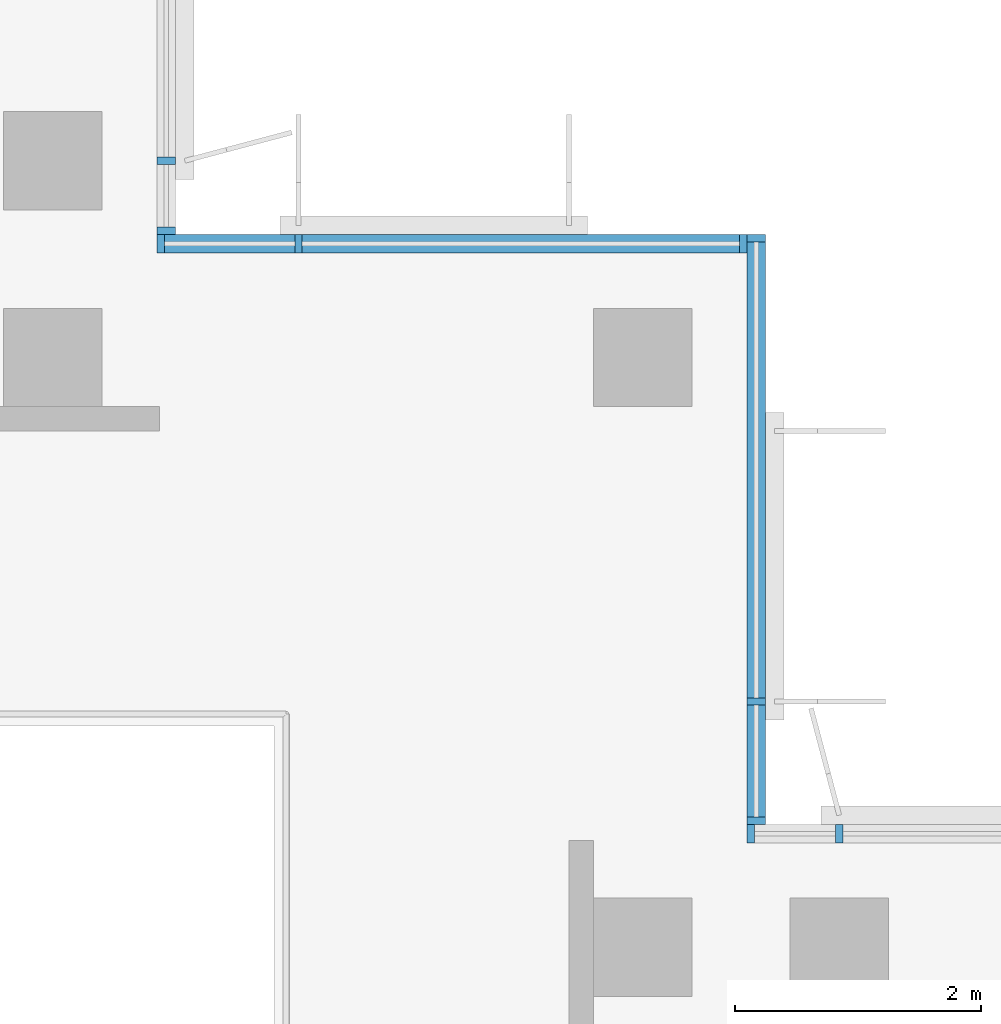
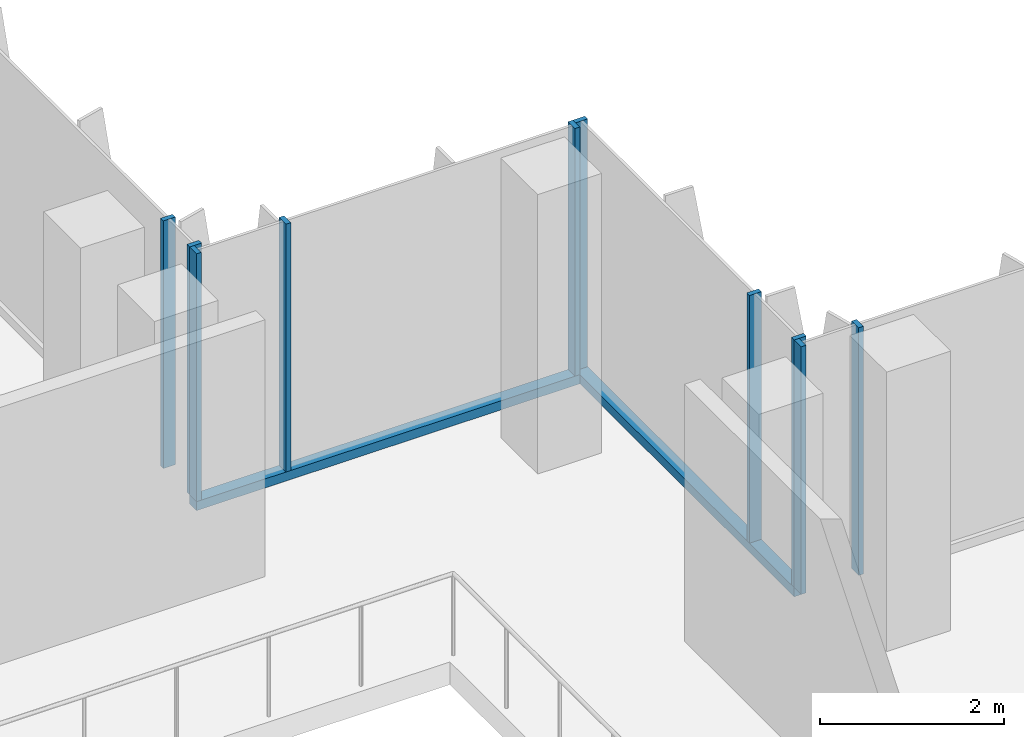
# One storey, part 2 of 15: 12 members, 4 elements without a shape of their own.
"""IFC4 building model written with IfcOpenShell, lengths in metres."""

import ifcopenshell
import ifcopenshell.guid

model = None  # the IFC model being written
_history = None  # IfcOwnerHistory: only IFC2X3 demands one
_inside = {}  # id of a spatial element -> (the spatial element, [elements in it])
_under = {}  # id of a project, library or spatial element -> (it, [spatial elements below it])
_declared = {}  # id of a project -> (the project, [libraries it declares])
_typed = {}  # id of a type object -> (the type object, [elements of that type])
_made_of = {}  # id of a material, layer set ... -> (it, [elements and type objects made of it])


def new_model(schema):
    """Start an empty IFC model of exactly this schema.

    Asked for "IFC4X3", IfcOpenShell would pick the latest addendum, in which some entities
    have other attributes; the version numbers below select the first issue.
    IFC2X3 requires an IfcOwnerHistory on every rooted entity: one is made here for all.
    """
    global model, _history
    if schema == "IFC4X3":
        model = ifcopenshell.file(schema_version=(4, 3, 0, 0))
    else:
        model = ifcopenshell.file(schema=schema)
    _inside.clear()
    _under.clear()
    _declared.clear()
    _typed.clear()
    _made_of.clear()
    _history = None
    if model.schema == "IFC2X3":
        org = make("IfcOrganization", Name="unknown")
        user = make(
            "IfcPersonAndOrganization",
            ThePerson=make("IfcPerson", FamilyName="unknown"),
            TheOrganization=org,
        )
        app = make(
            "IfcApplication",
            ApplicationDeveloper=org,
            Version="unknown",
            ApplicationFullName="unknown",
            ApplicationIdentifier="unknown",
        )
        _history = make(
            "IfcOwnerHistory",
            OwningUser=user,
            OwningApplication=app,
            ChangeAction="ADDED",
            CreationDate=0,
        )
    return model


def make(cls, **values):
    """One entity of the class cls with the attributes given. An attribute that is None is left unset."""
    return model.create_entity(
        cls, **{name: value for name, value in values.items() if value is not None}
    )


def rooted(cls, **values):
    """An entity with a GlobalId (a new one), such as an element, a storey or a relation."""
    return make(cls, GlobalId=ifcopenshell.guid.new(), OwnerHistory=_history, **values)


def si_unit(unit_type, name, prefix=None):
    """IfcSIUnit, for example si_unit("LENGTHUNIT", "METRE", prefix="MILLI")."""
    return make("IfcSIUnit", UnitType=unit_type, Prefix=prefix, Name=name)


def assignment(units):
    """IfcUnitAssignment: the units of a project."""
    return None if units is None else make("IfcUnitAssignment", Units=units)


def point(xyz):
    """IfcCartesianPoint."""
    return None if xyz is None else make("IfcCartesianPoint", Coordinates=xyz)


def direction(xyz):
    """IfcDirection."""
    return None if xyz is None else make("IfcDirection", DirectionRatios=xyz)


def frame(location, z_axis=None, x_axis=None):
    """IfcAxis2Placement3D, a coordinate frame: its origin and axes. An axis left out is left unset."""
    return make(
        "IfcAxis2Placement3D",
        Location=point(location),
        Axis=direction(z_axis),
        RefDirection=direction(x_axis),
    )


def frame_2d(location, x_axis=None):
    """IfcAxis2Placement2D, a coordinate frame in the plane: its origin and x axis."""
    return make(
        "IfcAxis2Placement2D", Location=point(location), RefDirection=direction(x_axis)
    )


def origin():
    """The frame at (0, 0, 0) with its axes left unset."""
    return frame((0.0, 0.0, 0.0))


def origin_2d():
    """The frame at (0, 0) in the plane with its x axis left unset."""
    return frame_2d((0.0, 0.0))


def place(relative_to, where):
    """IfcLocalPlacement: puts the frame where relative to a parent placement (None: the world)."""
    return make(
        "IfcLocalPlacement", PlacementRelTo=relative_to, RelativePlacement=where
    )


def context(
    kind, dimensions, precision=None, world=None, true_north=None, identifier=None
):
    """IfcGeometricRepresentationContext, for example the 3D "Model" context."""
    return make(
        "IfcGeometricRepresentationContext",
        ContextIdentifier=identifier,
        ContextType=kind,
        CoordinateSpaceDimension=dimensions,
        Precision=precision,
        WorldCoordinateSystem=world,
        TrueNorth=true_north,
    )


def subcontext(parent, identifier, kind, view, scale=None):
    """IfcGeometricRepresentationSubContext, for example "Body" below "Model"."""
    return make(
        "IfcGeometricRepresentationSubContext",
        ContextIdentifier=identifier,
        ContextType=kind,
        ParentContext=parent,
        TargetScale=scale,
        TargetView=view,
    )


def project(units=None, contexts=None):
    """IfcProject with its units and contexts."""
    return rooted(
        "IfcProject",
        Name="project",
        RepresentationContexts=contexts,
        UnitsInContext=assignment(units),
    )


def spatial(cls, under=None, at=None, **own):
    """A site, building, storey or space (cls), placed at a placement, below another one or the project."""
    s = rooted(cls, ObjectPlacement=at, **own)
    if under is not None:
        _under.setdefault(under.id(), (under, []))[1].append(s)
    return s


def profile(cls, at=None, kind="AREA", **sizes):
    """A parametric profile (cls). Its sizes go by their IFC names, for example OverallWidth=200.0."""
    return make(cls, ProfileType=kind, Position=at, **sizes)


def rectangle(**sizes):
    """IfcRectangleProfileDef."""
    return profile("IfcRectangleProfileDef", **sizes)


def extrude(swept, where, along, depth):
    """IfcExtrudedAreaSolid: the profile swept, set in the frame where, extruded along a direction by depth."""
    return make(
        "IfcExtrudedAreaSolid",
        SweptArea=swept,
        Position=where,
        ExtrudedDirection=direction(along),
        Depth=depth,
    )


def shape(context_of_items, identifier, shape_type, items):
    """IfcShapeRepresentation: the items that make up one representation, for example the "Body"."""
    return make(
        "IfcShapeRepresentation",
        ContextOfItems=context_of_items,
        RepresentationIdentifier=identifier,
        RepresentationType=shape_type,
        Items=items,
    )


def source(mapping_origin, context_of_items, identifier, shape_type, items):
    """IfcRepresentationMap: a shape defined once, which mapped items show again and again."""
    return make(
        "IfcRepresentationMap",
        MappingOrigin=mapping_origin,
        MappedRepresentation=shape(context_of_items, identifier, shape_type, items),
    )


def transform(
    local_origin,
    x_axis=None,
    y_axis=None,
    z_axis=None,
    scale=None,
    scale2=None,
    scale3=None,
    uniform=True,
):
    """IfcCartesianTransformationOperator3D, or its non-uniform kind. x_axis, y_axis, z_axis: its Axis1, 2, 3."""
    if uniform:
        return make(
            "IfcCartesianTransformationOperator3D",
            Axis1=direction(x_axis),
            Axis2=direction(y_axis),
            LocalOrigin=point(local_origin),
            Scale=scale,
            Axis3=direction(z_axis),
        )
    return make(
        "IfcCartesianTransformationOperator3DnonUniform",
        Axis1=direction(x_axis),
        Axis2=direction(y_axis),
        LocalOrigin=point(local_origin),
        Scale=scale,
        Axis3=direction(z_axis),
        Scale2=scale2,
        Scale3=scale3,
    )


def mapped(mapping_source, mapping_target):
    """IfcMappedItem: shows the shape of a source again, moved by a transform."""
    return make(
        "IfcMappedItem", MappingSource=mapping_source, MappingTarget=mapping_target
    )


def material(Name=None, Category=None):
    """IfcMaterial."""
    return make("IfcMaterial", Name=Name, Category=Category)


def material_profile(
    of_material, cross_section, Name=None, Category=None, Priority=None
):
    """IfcMaterialProfile: a cross section and its material."""
    return make(
        "IfcMaterialProfile",
        Name=Name,
        Material=of_material,
        Profile=cross_section,
        Priority=Priority,
        Category=Category,
    )


def profile_set(profiles, Name=None, composite=None):
    """IfcMaterialProfileSet."""
    return make(
        "IfcMaterialProfileSet",
        Name=Name,
        MaterialProfiles=profiles,
        CompositeProfile=composite,
    )


def made_of(thing, what):
    """Note that an element or type object is made of a material, layer set ...; save() writes the relation."""
    if what is not None:
        _made_of.setdefault(what.id(), (what, []))[1].append(thing)
    return thing


def type_object(cls, material=None, **own):
    """A type object (cls), such as IfcWallType, which elements share."""
    return made_of(rooted(cls, **own), material)


def element(
    cls,
    number,
    at=None,
    inside=None,
    cuts=None,
    type_object=None,
    material=None,
    context=None,
    identifier="Body",
    shape_type=None,
    held_by="IfcProductDefinitionShape",
    body=None,
    shapes=None,
    **own,
):
    """One element of the class cls, such as IfcWall. Its Tag is "e" and its number.

    at: its placement. inside: the storey or other place that contains it. cuts: it is an
    opening in that element (IfcRelVoidsElement). A single representation is given by context,
    identifier, shape_type and body (its items); several are given by shapes. held_by: the class
    of the entity that holds the representations. save() writes the other relations.
    """
    e = rooted(cls, Tag="e%d" % number, ObjectPlacement=at, **own)
    if body is not None:
        shapes = [shape(context, identifier, shape_type, body)]
    if shapes is not None:
        e.Representation = make(held_by, Representations=shapes)
    if inside is not None:
        _inside.setdefault(inside.id(), (inside, []))[1].append(e)
    if cuts is not None:
        rooted(
            "IfcRelVoidsElement", RelatingBuildingElement=cuts, RelatedOpeningElement=e
        )
    if type_object is not None:
        _typed.setdefault(type_object.id(), (type_object, []))[1].append(e)
    return made_of(e, material)


def aggregate(whole, parts):
    """IfcRelAggregates: a whole, such as a stair, and the parts it consists of."""
    return rooted("IfcRelAggregates", RelatingObject=whole, RelatedObjects=parts)


def save(model, path):
    """Write the relations noted so far, then the file.

    IfcRelAggregates (storeys below a building ...), IfcRelContainedInSpatialStructure (elements
    in a storey), IfcRelDefinesByType, IfcRelAssociatesMaterial and IfcRelDeclares: one each for
    every whole, place, type object, material and project.
    """
    for whole, parts in _under.values():
        aggregate(whole, parts)
    for where, things in _inside.values():
        rooted(
            "IfcRelContainedInSpatialStructure",
            RelatedElements=things,
            RelatingStructure=where,
        )
    for kind, things in _typed.values():
        rooted("IfcRelDefinesByType", RelatedObjects=things, RelatingType=kind)
    for what, things in _made_of.values():
        rooted("IfcRelAssociatesMaterial", RelatedObjects=things, RelatingMaterial=what)
    for by, libraries in _declared.values():
        rooted("IfcRelDeclares", RelatingContext=by, RelatedDefinitions=libraries)
    model.write(path)


model = new_model("IFC4")

# Units and contexts
model_context = context("Model", 3, precision=1e-05, world=origin(), true_north=direction((0.0, 1.0)))
body_context = subcontext(model_context, "Body", "Model", "MODEL_VIEW")
ifc_project = project(units=[si_unit("LENGTHUNIT", "METRE"), si_unit("AREAUNIT", "SQUARE_METRE"), si_unit("VOLUMEUNIT", "CUBIC_METRE"), si_unit("PLANEANGLEUNIT", "RADIAN"), si_unit("MASSUNIT", "GRAM", prefix="KILO")], contexts=[model_context])

# Site, building, storey
site_placement = place(None, origin())
site = spatial("IfcSite", under=ifc_project, at=site_placement, CompositionType="ELEMENT")
building_placement = place(site_placement, origin())
building = spatial("IfcBuilding", under=site, at=building_placement, Name="Kemantara Hotel Tower", CompositionType="ELEMENT")
storey_placement = place(building_placement, frame((0.0, 0.0, 298.10009765625)))
storey = spatial("IfcBuildingStorey", under=building, at=storey_placement, Name="L75", CompositionType="ELEMENT", Elevation=298.10009765625)

# Curtain wall, member
ifc_material_1 = material(Name="Low-E tinted double insulated glass 36 mm", Category="glass")
curtain_wall_type = type_object("IfcCurtainWallType", Name="TOWER CURTAIN WALL, FRONT FACES", PredefinedType="USERDEFINED", material=ifc_material_1)
curtain_wall_1_placement = place(storey_placement, origin())
curtain_wall_1 = element("IfcCurtainWall", 1, at=curtain_wall_1_placement, inside=storey, type_object=curtain_wall_type, Name="CW4 L75 T4-R13-1", ObjectType="TOWER CURTAIN WALL, FRONT FACES", PredefinedType="USERDEFINED")
ifc_material_2 = material(Name="Aluminium 6063-T6 bronze anodised", Category="aluminium")
ifc_material_profile_1 = material_profile(ifc_material_2, rectangle(XDim=0.14990234375, YDim=0.1201171875, at=origin_2d()), Name="TOWER CURTAIN WALL, FRONT FACES TRANSOM")
ifc_profile_set_1 = profile_set([ifc_material_profile_1], Name="Aluminium 6063-T6 bronze anodised")
member_type_1 = type_object("IfcMemberType", Name="TOWER CURTAIN WALL, FRONT FACES TRANSOM", PredefinedType="USERDEFINED", material=ifc_profile_set_1)
member_1_placement = place(storey_placement, frame((26.72509765625, 22.0, 0.059814453125), z_axis=(0.0, 1.0, 0.0), x_axis=(-1.0, 0.0, 0.0)))
member_1 = element("IfcMember", 2, at=member_1_placement, type_object=member_type_1, Name="CW4 sill transom T4-R13-1", ObjectType="TRANSOM", PredefinedType="USERDEFINED", context=body_context, shape_type="SweptSolid", body=[
    extrude(rectangle(XDim=0.14990234375, YDim=0.1201171875, at=origin_2d()), origin(), (0.0, 0.0, 1.0), 4.800048828125),
])

curtain_wall_2_placement = place(storey_placement, origin())
curtain_wall_2 = element("IfcCurtainWall", 3, at=curtain_wall_2_placement, inside=storey, type_object=curtain_wall_type, Name="CW4 L75 T4-R14-1", ObjectType="TOWER CURTAIN WALL, FRONT FACES", PredefinedType="USERDEFINED")
member_2_placement = place(storey_placement, frame((26.64990234375, 26.72509765625, 0.059814453125), z_axis=(-1.0, 0.0, 0.0), x_axis=(0.0, -1.0, 0.0)))
member_2 = element("IfcMember", 4, at=member_2_placement, type_object=member_type_1, Name="CW4 sill transom T4-R14-1", ObjectType="TRANSOM", PredefinedType="USERDEFINED", context=body_context, shape_type="SweptSolid", body=[
    extrude(rectangle(XDim=0.14990234375, YDim=0.1201171875, at=origin_2d()), origin(), (0.0, 0.0, 1.0), 4.7998046875),
])

# Curtain wall, members
curtain_wall_3_placement = place(storey_placement, origin())
curtain_wall_3 = element("IfcCurtainWall", 5, at=curtain_wall_3_placement, inside=storey, type_object=curtain_wall_type, Name="CW4 L75 T4-R12-1", ObjectType="TOWER CURTAIN WALL, FRONT FACES", PredefinedType="USERDEFINED")
ifc_material_profile_2 = material_profile(ifc_material_2, rectangle(XDim=0.14990234375, YDim=0.06005859375, at=origin_2d()), Name="TOWER CURTAIN WALL, FRONT FACES MULLION")
ifc_profile_set_2 = profile_set([ifc_material_profile_2], Name="Aluminium 6063-T6 bronze anodised")
member_type_2 = type_object("IfcMemberType", Name="TOWER CURTAIN WALL, FRONT FACES MULLION", PredefinedType="MULLION", material=ifc_profile_set_2)
shared_shape = source(origin(), body_context, "Body", "SweptSolid", [
    extrude(rectangle(XDim=0.14990234375, YDim=0.06005859375, at=origin_2d()), origin(), (0.0, 0.0, 1.0), 3.280029296875),
])
member_3_placement = place(storey_placement, frame((27.39990234375, 21.925048828125, 0.119873046875), z_axis=(0.0, 0.0, 1.0), x_axis=(0.0, -1.0, 0.0)))
member_3 = element("IfcMember", 6, at=member_3_placement, type_object=member_type_2, Name="CW4 mullion T4-R12-1.5", PredefinedType="MULLION", context=body_context, shape_type="MappedRepresentation", body=[
    mapped(shared_shape, transform((0.0, 0.0, 0.0))),
])
member_4_placement = place(storey_placement, frame((26.679931640625, 21.925048828125, 0.119873046875), z_axis=(0.0, 0.0, 1.0), x_axis=(0.0, -1.0, 0.0)))
member_4 = element("IfcMember", 7, at=member_4_placement, type_object=member_type_2, Name="CW4 mullion T4-R12-1.6", PredefinedType="MULLION", context=body_context, shape_type="MappedRepresentation", body=[
    mapped(shared_shape, transform((0.0, 0.0, 0.0))),
])
aggregate(curtain_wall_3, [member_3, member_4])

# Member
member_5_placement = place(storey_placement, frame((26.72509765625, 22.030029296875, 0.119873046875), z_axis=(0.0, 0.0, 1.0), x_axis=(-1.0, 0.0, 0.0)))
member_5 = element("IfcMember", 8, at=member_5_placement, type_object=member_type_2, Name="CW4 mullion T4-R13-1.1", PredefinedType="MULLION", context=body_context, shape_type="MappedRepresentation", body=[
    mapped(shared_shape, transform((0.0, 0.0, 0.0))),
])

member_6_placement = place(storey_placement, frame((26.72509765625, 23.0, 0.119873046875), z_axis=(0.0, 0.0, 1.0), x_axis=(-1.0, 0.0, 0.0)))
member_6 = element("IfcMember", 9, at=member_6_placement, type_object=member_type_2, Name="CW4 mullion T4-R13-1.2", PredefinedType="MULLION", context=body_context, shape_type="MappedRepresentation", body=[
    mapped(shared_shape, transform((0.0, 0.0, 0.0))),
])

member_7_placement = place(storey_placement, frame((26.72509765625, 26.77001953125, 0.119873046875), z_axis=(0.0, 0.0, 1.0), x_axis=(-1.0, 0.0, 0.0)))
member_7 = element("IfcMember", 10, at=member_7_placement, type_object=member_type_2, Name="CW4 mullion T4-R13-1.3", PredefinedType="MULLION", context=body_context, shape_type="MappedRepresentation", body=[
    mapped(shared_shape, transform((0.0, 0.0, 0.0))),
])

aggregate(curtain_wall_1, [member_1, member_5, member_6, member_7])

member_8_placement = place(storey_placement, frame((26.6201171875, 26.72509765625, 0.119873046875), z_axis=(0.0, 0.0, 1.0), x_axis=(0.0, -1.0, 0.0)))
member_8 = element("IfcMember", 11, at=member_8_placement, type_object=member_type_2, Name="CW4 mullion T4-R14-1.1", PredefinedType="MULLION", context=body_context, shape_type="MappedRepresentation", body=[
    mapped(shared_shape, transform((0.0, 0.0, 0.0))),
])

member_9_placement = place(storey_placement, frame((23.0, 26.72509765625, 0.119873046875), z_axis=(0.0, 0.0, 1.0), x_axis=(0.0, -1.0, 0.0)))
member_9 = element("IfcMember", 12, at=member_9_placement, type_object=member_type_2, Name="CW4 mullion T4-R14-1.2", PredefinedType="MULLION", context=body_context, shape_type="MappedRepresentation", body=[
    mapped(shared_shape, transform((0.0, 0.0, 0.0))),
])

member_10_placement = place(storey_placement, frame((21.8798828125, 26.72509765625, 0.119873046875), z_axis=(0.0, 0.0, 1.0), x_axis=(0.0, -1.0, 0.0)))
member_10 = element("IfcMember", 13, at=member_10_placement, type_object=member_type_2, Name="CW4 mullion T4-R14-1.3", PredefinedType="MULLION", context=body_context, shape_type="MappedRepresentation", body=[
    mapped(shared_shape, transform((0.0, 0.0, 0.0))),
])

aggregate(curtain_wall_2, [member_2, member_8, member_9, member_10])

# Curtain wall, members
curtain_wall_4_placement = place(storey_placement, origin())
curtain_wall_4 = element("IfcCurtainWall", 14, at=curtain_wall_4_placement, inside=storey, type_object=curtain_wall_type, Name="CW4 L75 T4-R15-1", ObjectType="TOWER CURTAIN WALL, FRONT FACES", PredefinedType="USERDEFINED")
member_11_placement = place(storey_placement, frame((21.925048828125, 26.830078125, 0.119873046875), z_axis=(0.0, 0.0, 1.0), x_axis=(-1.0, 0.0, 0.0)))
member_11 = element("IfcMember", 15, at=member_11_placement, type_object=member_type_2, Name="CW4 mullion T4-R15-1.1", PredefinedType="MULLION", context=body_context, shape_type="MappedRepresentation", body=[
    mapped(shared_shape, transform((0.0, 0.0, 0.0))),
])
member_12_placement = place(storey_placement, frame((21.925048828125, 27.39990234375, 0.119873046875), z_axis=(0.0, 0.0, 1.0), x_axis=(-1.0, 0.0, 0.0)))
member_12 = element("IfcMember", 16, at=member_12_placement, type_object=member_type_2, Name="CW4 mullion T4-R15-1.2", PredefinedType="MULLION", context=body_context, shape_type="MappedRepresentation", body=[
    mapped(shared_shape, transform((0.0, 0.0, 0.0))),
])
aggregate(curtain_wall_4, [member_11, member_12])

save(model, "model.ifc")
